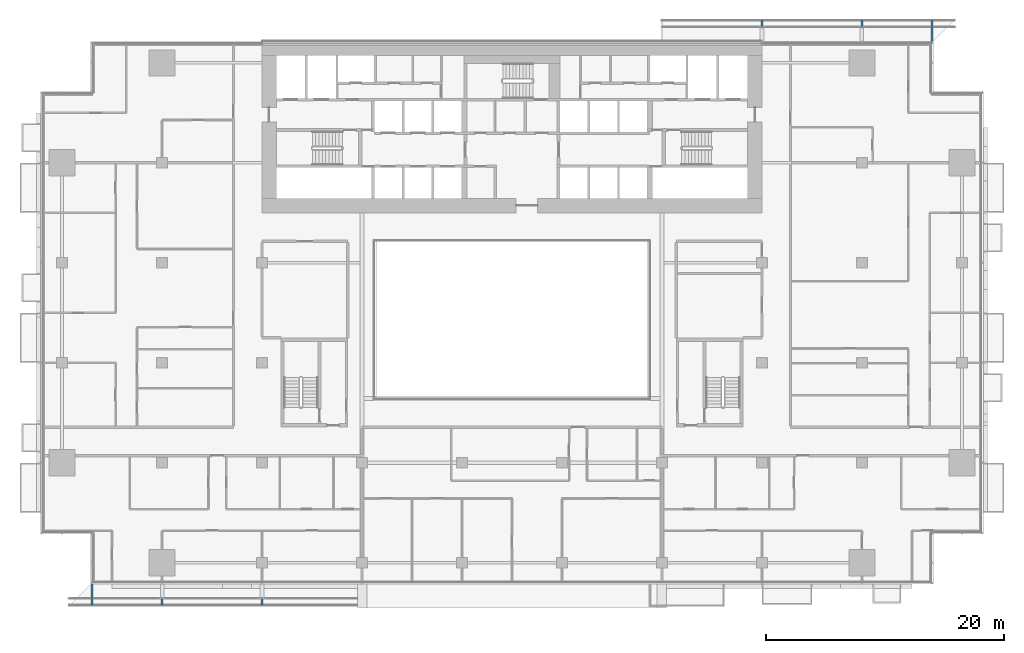
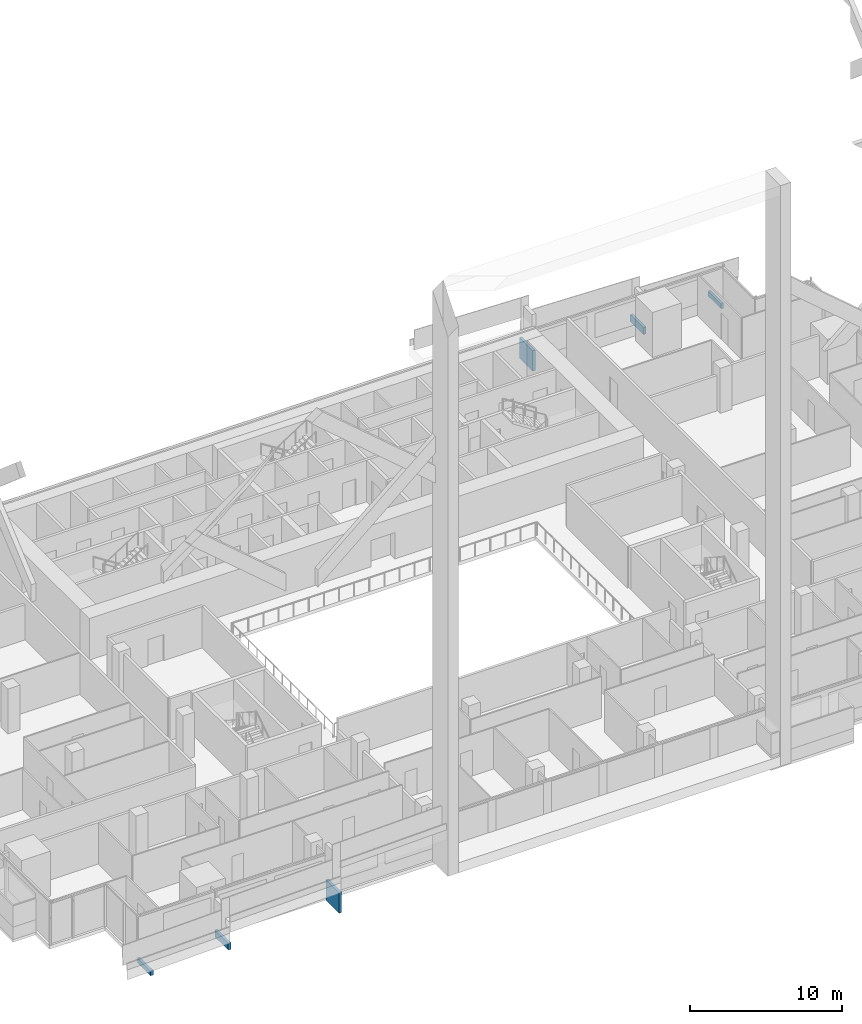
# One storey, part 25 of 30: 6 discrete accessories.
"""IFC4 building model written with IfcOpenShell, lengths in metres."""

from ifc_helpers import new_model, si_unit, direction, frame, origin, origin_2d, place, context, subcontext, project, spatial, rectangle, extrude, element, save


model = new_model("IFC4")

# Units and contexts
model_context = context("Model", 3, precision=1e-05, world=origin(), true_north=direction((0.0, 1.0)))
body_context = subcontext(model_context, "Body", "Model", "MODEL_VIEW")
ifc_project = project(units=[si_unit("LENGTHUNIT", "METRE"), si_unit("AREAUNIT", "SQUARE_METRE"), si_unit("VOLUMEUNIT", "CUBIC_METRE"), si_unit("PLANEANGLEUNIT", "RADIAN"), si_unit("MASSUNIT", "GRAM", prefix="KILO")], contexts=[model_context])

# Site, building, storey
site_placement = place(None, origin())
site = spatial("IfcSite", under=ifc_project, at=site_placement, CompositionType="ELEMENT")
building_placement = place(site_placement, origin())
building = spatial("IfcBuilding", under=site, at=building_placement, Name="Saffron Gate Tower", CompositionType="ELEMENT")
storey_placement = place(building_placement, frame((0.0, 0.0, 37.199951171875)))
storey = spatial("IfcBuildingStorey", under=building, at=storey_placement, Name="L07", CompositionType="ELEMENT", Elevation=37.199951171875)

# Discrete accessories
discrete_accessory_1_placement = place(storey_placement, frame((52.320068359375, 29.125, -0.27978515625), z_axis=(0.0, 0.0, 1.0), x_axis=(1.0, 0.0, 0.0)))
element("IfcDiscreteAccessory", 1, at=discrete_accessory_1_placement, inside=storey, Name="LEDGE rib", PredefinedType="BRACKET", context=body_context, shape_type="SweptSolid", body=[
    extrude(rectangle(XDim=0.199951171875, YDim=1.75, at=origin_2d()), origin(), (0.0, 0.0, 1.0), 0.3798828125),
])
discrete_accessory_2_placement = place(storey_placement, frame((58.199951171875, 29.125, -0.27978515625), z_axis=(0.0, 0.0, 1.0), x_axis=(1.0, 0.0, 0.0)))
element("IfcDiscreteAccessory", 2, at=discrete_accessory_2_placement, inside=storey, Name="LEDGE rib", PredefinedType="BRACKET", context=body_context, shape_type="SweptSolid", body=[
    extrude(rectangle(XDim=0.199951171875, YDim=1.75, at=origin_2d()), origin(), (0.0, 0.0, 1.0), 0.552734375),
])
discrete_accessory_3_placement = place(storey_placement, frame((66.60009765625, 29.125, -0.27978515625), z_axis=(0.0, 0.0, 1.0), x_axis=(1.0, 0.0, 0.0)))
element("IfcDiscreteAccessory", 3, at=discrete_accessory_3_placement, inside=storey, Name="LEDGE rib", PredefinedType="BRACKET", context=body_context, shape_type="SweptSolid", body=[
    extrude(rectangle(XDim=0.199951171875, YDim=1.75, at=origin_2d()), origin(), (0.0, 0.0, 1.0), 1.652099609375),
])
discrete_accessory_4_placement = place(storey_placement, frame((122.8798828125, 76.47509765625, -0.27978515625), z_axis=(0.0, 0.0, 1.0), x_axis=(-1.0, 0.0, 0.0)))
element("IfcDiscreteAccessory", 4, at=discrete_accessory_4_placement, inside=storey, Name="LEDGE rib", PredefinedType="BRACKET", context=body_context, shape_type="SweptSolid", body=[
    extrude(rectangle(XDim=0.199951171875, YDim=1.75, at=origin_2d()), origin(), (0.0, 0.0, 1.0), 0.3798828125),
])
discrete_accessory_5_placement = place(storey_placement, frame((117.0, 76.47509765625, -0.27978515625), z_axis=(0.0, 0.0, 1.0), x_axis=(-1.0, 0.0, 0.0)))
element("IfcDiscreteAccessory", 5, at=discrete_accessory_5_placement, inside=storey, Name="LEDGE rib", PredefinedType="BRACKET", context=body_context, shape_type="SweptSolid", body=[
    extrude(rectangle(XDim=0.199951171875, YDim=1.75, at=origin_2d()), origin(), (0.0, 0.0, 1.0), 0.552734375),
])
discrete_accessory_6_placement = place(storey_placement, frame((108.60009765625, 76.47509765625, -0.27978515625), z_axis=(0.0, 0.0, 1.0), x_axis=(-1.0, 0.0, 0.0)))
element("IfcDiscreteAccessory", 6, at=discrete_accessory_6_placement, inside=storey, Name="LEDGE rib", PredefinedType="BRACKET", context=body_context, shape_type="SweptSolid", body=[
    extrude(rectangle(XDim=0.199951171875, YDim=1.75, at=origin_2d()), origin(), (0.0, 0.0, 1.0), 1.652099609375),
])

save(model, "model.ifc")
